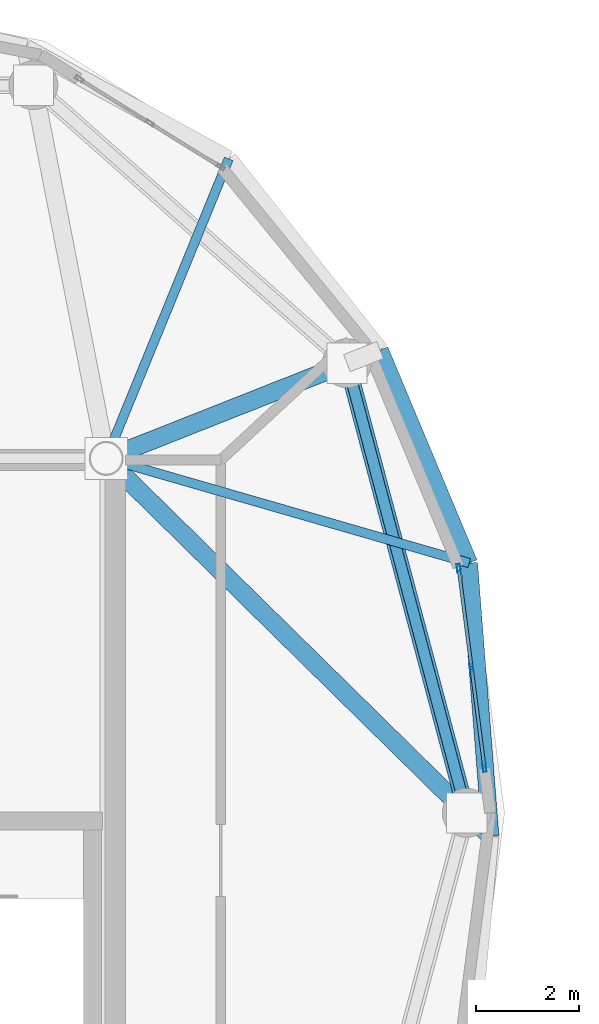
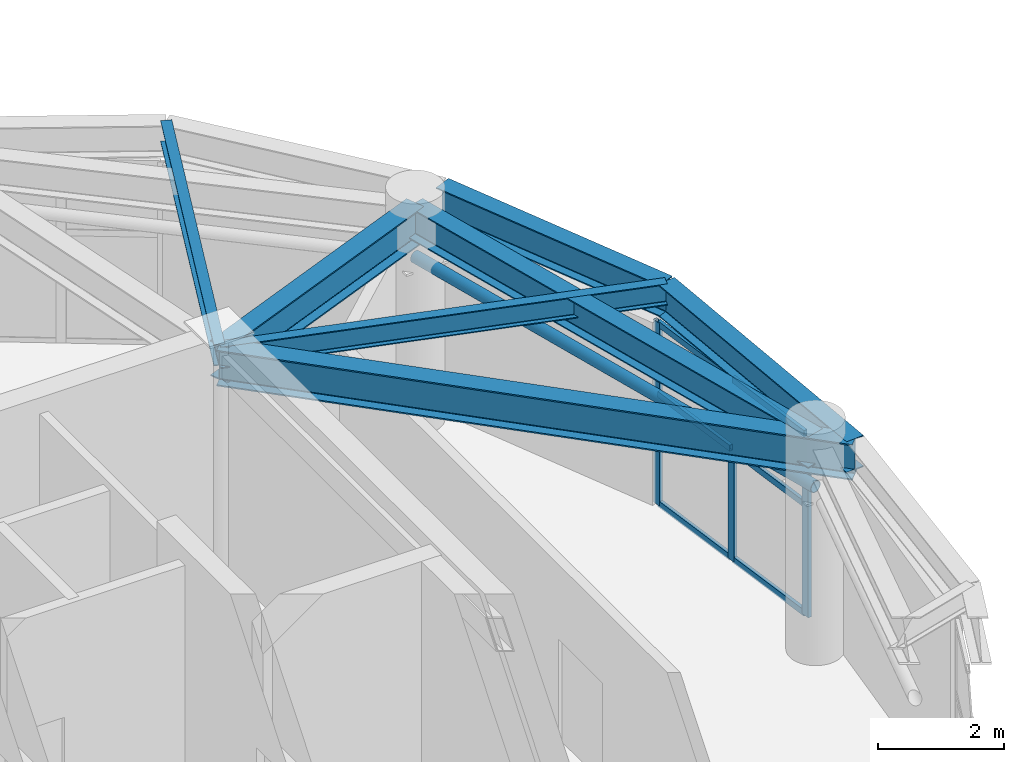
# One storey, part 10 of 26: 10 members, 7 beams, 1 element without a shape of its own.
"""IFC4 building model written with IfcOpenShell, lengths in metres."""

from ifc_helpers import new_model, si_unit, direction, frame, origin, origin_2d, place, context, subcontext, project, spatial, hollow_rectangle, hollow_circle, i_section, extrude, material, layer, layer_set, material_profile, profile_set, type_object, element, aggregate, save


model = new_model("IFC4")

# Units and contexts
model_context = context("Model", 3, precision=1e-05, world=origin(), true_north=direction((0.0, 1.0)))
body_context = subcontext(model_context, "Body", "Model", "MODEL_VIEW")
ifc_project = project(units=[si_unit("LENGTHUNIT", "METRE"), si_unit("AREAUNIT", "SQUARE_METRE"), si_unit("VOLUMEUNIT", "CUBIC_METRE"), si_unit("PLANEANGLEUNIT", "RADIAN"), si_unit("MASSUNIT", "GRAM", prefix="KILO")], contexts=[model_context])

# Site, building, storey
site_placement = place(None, origin())
site = spatial("IfcSite", under=ifc_project, at=site_placement, CompositionType="ELEMENT")
building_placement = place(site_placement, origin())
building = spatial("IfcBuilding", under=site, at=building_placement, Name="Cununo Teusaquillo Station Towers", CompositionType="ELEMENT")
storey_placement = place(building_placement, frame((0.0, 0.0, 240.330078125)))
storey = spatial("IfcBuildingStorey", under=building, at=storey_placement, Name="L76", CompositionType="ELEMENT", Elevation=240.330078125)

# Beams
ifc_material_1 = material(Name="Steel ASTM A572 Grade 50", Category="steel")
ifc_material_profile_1 = material_profile(ifc_material_1, i_section(OverallWidth=0.180908203125, OverallDepth=0.4169921875, WebThickness=0.010986328125, FlangeThickness=0.018310546875, FilletRadius=0.012939453125, at=origin_2d()), Name="W16X57")
ifc_profile_set_1 = profile_set([ifc_material_profile_1], Name="Steel ASTM A572 Grade 50")
beam_type_1 = type_object("IfcBeamType", Name="BM-JOIST-1", PredefinedType="JOIST", material=ifc_profile_set_1)
beam_1_placement = place(storey_placement, frame((21.675048828125, 31.3798828125, 3.991455078125), z_axis=(0.960861603375, -0.277028841748, 0.0), x_axis=(0.277028841748, 0.960861603375, 0.0)))
element("IfcBeam", 1, at=beam_1_placement, inside=storey, type_object=beam_type_1, Name="L76 Tower A Radial Spandrel Joist V01", PredefinedType="JOIST", context=body_context, shape_type="SweptSolid", body=[
    extrude(i_section(OverallWidth=0.180908203125, OverallDepth=0.4169921875, WebThickness=0.010986328125, FlangeThickness=0.018310546875, FilletRadius=0.012939453125, at=origin_2d()), origin(), (0.0, 0.0, 1.0), 7.333251953125),
])
beam_2_placement = place(storey_placement, frame((21.675048828125, 31.3798828125, 3.991455078125), z_axis=(0.378576847217, 0.925569862707, 0.0), x_axis=(-0.925569862707, 0.378576847217, 0.0)))
element("IfcBeam", 2, at=beam_2_placement, inside=storey, type_object=beam_type_1, Name="L76 Tower A Radial Spandrel Joist V03", PredefinedType="JOIST", context=body_context, shape_type="SweptSolid", body=[
    extrude(i_section(OverallWidth=0.180908203125, OverallDepth=0.4169921875, WebThickness=0.010986328125, FlangeThickness=0.018310546875, FilletRadius=0.012939453125, at=origin_2d()), origin(), (0.0, 0.0, 1.0), 6.28125),
])
ifc_material_2 = material(Name="Steel ASTM A572 Grade 50", Category="steel")
ifc_material_profile_2 = material_profile(ifc_material_2, i_section(OverallWidth=0.35498046875, OverallDepth=0.696044921875, WebThickness=0.015380859375, FlangeThickness=0.02490234375, FilletRadius=0.01806640625, at=origin_2d()), Name="W27X146")
ifc_profile_set_2 = profile_set([ifc_material_profile_2], Name="Steel ASTM A572 Grade 50")
beam_type_2 = type_object("IfcBeamType", Name="BM-PLNT-G1", PredefinedType="BEAM", material=ifc_profile_set_2)
beam_3_placement = place(storey_placement, frame((21.675048828125, 31.3798828125, 3.851806640625), z_axis=(0.713043510712, -0.701119784225, 0.0), x_axis=(0.701119784225, 0.713043510712, 0.0)))
element("IfcBeam", 3, at=beam_3_placement, inside=storey, type_object=beam_type_2, Name="L76 Tower A Continuous Overhanging Radial Girder 01", PredefinedType="BEAM", context=body_context, shape_type="SweptSolid", body=[
    extrude(i_section(OverallWidth=0.35498046875, OverallDepth=0.696044921875, WebThickness=0.015380859375, FlangeThickness=0.02490234375, FilletRadius=0.01806640625, at=origin_2d()), origin(), (0.0, 0.0, 1.0), 10.462890625),
])
beam_4_placement = place(storey_placement, frame((21.675048828125, 31.3798828125, 3.851806640625), z_axis=(0.929864104313, 0.367903176814, 0.0), x_axis=(-0.367903176814, 0.929864104313, 0.0)))
element("IfcBeam", 4, at=beam_4_placement, inside=storey, type_object=beam_type_2, Name="L76 Tower A Radial Girder 02A", PredefinedType="BEAM", context=body_context, shape_type="SweptSolid", body=[
    extrude(i_section(OverallWidth=0.35498046875, OverallDepth=0.696044921875, WebThickness=0.015380859375, FlangeThickness=0.02490234375, FilletRadius=0.01806640625, at=origin_2d()), origin(), (0.0, 0.0, 1.0), 5.02490234375),
])
ifc_material_3 = material(Name="Steel ASTM A572 Grade 50", Category="steel")
ifc_material_profile_3 = material_profile(ifc_material_3, i_section(OverallWidth=0.324951171875, OverallDepth=0.615966796875, WebThickness=0.013916015625, FlangeThickness=0.021484375, FilletRadius=0.01611328125, at=origin_2d()), Name="W24X117")
ifc_profile_set_3 = profile_set([ifc_material_profile_3], Name="Steel ASTM A572 Grade 50")
beam_type_3 = type_object("IfcBeamType", Name="BM-PLNT-G2", PredefinedType="BEAM", material=ifc_profile_set_3)
beam_5_placement = place(storey_placement, frame((28.672119140625, 24.5, 3.891845703125), z_axis=(-0.257363196347, 0.966314744359, 0.0), x_axis=(-0.966314744359, -0.257363196347, 0.0)))
element("IfcBeam", 5, at=beam_5_placement, inside=storey, type_object=beam_type_3, Name="L76 Tower A Structural Column Ring Girder 01", PredefinedType="BEAM", context=body_context, shape_type="SweptSolid", body=[
    extrude(i_section(OverallWidth=0.324951171875, OverallDepth=0.615966796875, WebThickness=0.013916015625, FlangeThickness=0.021484375, FilletRadius=0.01611328125, at=origin_2d()), origin(), (0.0, 0.0, 1.0), 9.03271484375),
])
beam_6_placement = place(storey_placement, frame((29.135498046875, 24.044189453125, 3.891845703125), z_axis=(-0.077871988965, 0.996963366095, 0.0), x_axis=(-0.996963366095, -0.077871988965, 0.0)))
element("IfcBeam", 6, at=beam_6_placement, inside=storey, type_object=beam_type_3, Name="L76 Tower A Spandrel Ring Beam 01", PredefinedType="BEAM", context=body_context, shape_type="SweptSolid", body=[
    extrude(i_section(OverallWidth=0.324951171875, OverallDepth=0.615966796875, WebThickness=0.013916015625, FlangeThickness=0.021484375, FilletRadius=0.01611328125, at=origin_2d()), origin(), (0.0, 0.0, 1.0), 5.3203125),
])
beam_7_placement = place(storey_placement, frame((28.72119140625, 29.348388671875, 3.891845703125), z_axis=(-0.386115454066, 0.922450462698, 0.0), x_axis=(-0.922450462698, -0.386115454066, 0.0)))
element("IfcBeam", 7, at=beam_7_placement, inside=storey, type_object=beam_type_3, Name="L76 Tower A Spandrel Ring Beam 02", PredefinedType="BEAM", context=body_context, shape_type="SweptSolid", body=[
    extrude(i_section(OverallWidth=0.324951171875, OverallDepth=0.615966796875, WebThickness=0.013916015625, FlangeThickness=0.021484375, FilletRadius=0.01611328125, at=origin_2d()), origin(), (0.0, 0.0, 1.0), 4.482421875),
])

# Curtain wall, members
ifc_material_4 = material(Name="Ceramic-fritted dark low-E double glazing", Category="glass")
ifc_layer = layer(ifc_material_4, 0.179931640625)
ifc_layer_set = layer_set([ifc_layer], Name="Ceramic-fritted dark low-E double glazing")
curtain_wall_type = type_object("IfcCurtainWallType", Name="CW-SYS-08", PredefinedType="USERDEFINED", material=ifc_layer_set)
curtain_wall_placement = place(storey_placement, origin())
curtain_wall = element("IfcCurtainWall", 8, at=curtain_wall_placement, inside=storey, type_object=curtain_wall_type, Name="L76 Tower A Crown Drum Glazed Screen C00", ObjectType="FRITTED GLAZING", PredefinedType="USERDEFINED")
ifc_material_5 = material(Name="Anodised dark bronze aluminium EN AW-6063-T6", Category="aluminium")
ifc_material_profile_4 = material_profile(ifc_material_5, hollow_rectangle(XDim=0.06494140625, YDim=0.159912109375, WallThickness=0.00390625, at=origin_2d()), Name="CW-MULL-65x160")
ifc_profile_set_4 = profile_set([ifc_material_profile_4], Name="Anodised dark bronze aluminium EN AW-6063-T6")
member_type_1 = type_object("IfcMemberType", Name="CWM-160", PredefinedType="MULLION", material=ifc_profile_set_4)
member_1_placement = place(storey_placement, frame((28.515869140625, 29.248291015625, 0.0), z_axis=(0.0, 0.0, 1.0), x_axis=(0.991741528461, 0.12825264413, 0.0)))
member_1 = element("IfcMember", 9, at=member_1_placement, type_object=member_type_1, Name="CW-08 mullion 1", PredefinedType="MULLION", context=body_context, shape_type="SweptSolid", body=[
    extrude(hollow_rectangle(XDim=0.06494140625, YDim=0.159912109375, WallThickness=0.00390625, at=origin_2d()), origin(), (0.0, 0.0, 1.0), 3.555908203125),
])
member_2_placement = place(storey_placement, frame((28.766357421875, 27.311767578125, 0.0), z_axis=(0.0, 0.0, 1.0), x_axis=(0.991741528461, 0.12825264413, 0.0)))
member_2 = element("IfcMember", 10, at=member_2_placement, type_object=member_type_1, Name="CW-08 mullion 2", PredefinedType="MULLION", context=body_context, shape_type="SweptSolid", body=[
    extrude(hollow_rectangle(XDim=0.06494140625, YDim=0.159912109375, WallThickness=0.00390625, at=origin_2d()), origin(), (0.0, 0.0, 1.0), 3.555908203125),
])
member_3_placement = place(storey_placement, frame((29.016845703125, 25.375244140625, 0.0), z_axis=(0.0, 0.0, 1.0), x_axis=(0.991741528461, 0.12825264413, 0.0)))
member_3 = element("IfcMember", 11, at=member_3_placement, type_object=member_type_1, Name="CW-08 mullion 3", PredefinedType="MULLION", context=body_context, shape_type="SweptSolid", body=[
    extrude(hollow_rectangle(XDim=0.06494140625, YDim=0.159912109375, WallThickness=0.00390625, at=origin_2d()), origin(), (0.0, 0.0, 1.0), 3.555908203125),
])
ifc_material_6 = material(Name="Anodised dark bronze aluminium EN AW-6063-T6", Category="aluminium")
ifc_material_profile_5 = material_profile(ifc_material_6, hollow_rectangle(XDim=0.06494140625, YDim=0.1201171875, WallThickness=0.00390625, at=origin_2d()), Name="CW-TRAN-65x120")
ifc_profile_set_5 = profile_set([ifc_material_profile_5], Name="Anodised dark bronze aluminium EN AW-6063-T6")
member_type_2 = type_object("IfcMemberType", Name="CWT-120", PredefinedType="USERDEFINED", material=ifc_profile_set_5)
member_4_placement = place(storey_placement, frame((28.52001953125, 29.216064453125, 0.032470703125), z_axis=(0.128299630595, -0.99173545101, 0.0), x_axis=(0.99173545101, 0.128299630595, 0.0)))
member_4 = element("IfcMember", 12, at=member_4_placement, type_object=member_type_2, Name="CW-08 transom 1.1", ObjectType="TRANSOM", PredefinedType="USERDEFINED", context=body_context, shape_type="SweptSolid", body=[
    extrude(hollow_rectangle(XDim=0.06494140625, YDim=0.1201171875, WallThickness=0.00390625, at=origin_2d()), origin(), (0.0, 0.0, 1.0), 1.8876953125),
])
member_5_placement = place(storey_placement, frame((28.52001953125, 29.216064453125, 2.14990234375), z_axis=(0.128299630595, -0.99173545101, 0.0), x_axis=(0.99173545101, 0.128299630595, 0.0)))
member_5 = element("IfcMember", 13, at=member_5_placement, type_object=member_type_2, Name="CW-08 transom 1.2", ObjectType="TRANSOM", PredefinedType="USERDEFINED", context=body_context, shape_type="SweptSolid", body=[
    extrude(hollow_rectangle(XDim=0.06494140625, YDim=0.1201171875, WallThickness=0.00390625, at=origin_2d()), origin(), (0.0, 0.0, 1.0), 1.8876953125),
])
member_6_placement = place(storey_placement, frame((28.52001953125, 29.216064453125, 3.5234375), z_axis=(0.128299630595, -0.99173545101, 0.0), x_axis=(0.99173545101, 0.128299630595, 0.0)))
member_6 = element("IfcMember", 14, at=member_6_placement, type_object=member_type_2, Name="CW-08 transom 1.3", ObjectType="TRANSOM", PredefinedType="USERDEFINED", context=body_context, shape_type="SweptSolid", body=[
    extrude(hollow_rectangle(XDim=0.06494140625, YDim=0.1201171875, WallThickness=0.00390625, at=origin_2d()), origin(), (0.0, 0.0, 1.0), 1.8876953125),
])
member_7_placement = place(storey_placement, frame((28.7705078125, 27.279541015625, 0.032470703125), z_axis=(0.128299630595, -0.99173545101, 0.0), x_axis=(0.99173545101, 0.128299630595, 0.0)))
member_7 = element("IfcMember", 15, at=member_7_placement, type_object=member_type_2, Name="CW-08 transom 2.1", ObjectType="TRANSOM", PredefinedType="USERDEFINED", context=body_context, shape_type="SweptSolid", body=[
    extrude(hollow_rectangle(XDim=0.06494140625, YDim=0.1201171875, WallThickness=0.00390625, at=origin_2d()), origin(), (0.0, 0.0, 1.0), 1.8876953125),
])
member_8_placement = place(storey_placement, frame((28.7705078125, 27.279541015625, 2.14990234375), z_axis=(0.128299630595, -0.99173545101, 0.0), x_axis=(0.99173545101, 0.128299630595, 0.0)))
member_8 = element("IfcMember", 16, at=member_8_placement, type_object=member_type_2, Name="CW-08 transom 2.2", ObjectType="TRANSOM", PredefinedType="USERDEFINED", context=body_context, shape_type="SweptSolid", body=[
    extrude(hollow_rectangle(XDim=0.06494140625, YDim=0.1201171875, WallThickness=0.00390625, at=origin_2d()), origin(), (0.0, 0.0, 1.0), 1.8876953125),
])
member_9_placement = place(storey_placement, frame((28.7705078125, 27.279541015625, 3.5234375), z_axis=(0.128299630595, -0.99173545101, 0.0), x_axis=(0.99173545101, 0.128299630595, 0.0)))
member_9 = element("IfcMember", 17, at=member_9_placement, type_object=member_type_2, Name="CW-08 transom 2.3", ObjectType="TRANSOM", PredefinedType="USERDEFINED", context=body_context, shape_type="SweptSolid", body=[
    extrude(hollow_rectangle(XDim=0.06494140625, YDim=0.1201171875, WallThickness=0.00390625, at=origin_2d()), origin(), (0.0, 0.0, 1.0), 1.8876953125),
])
aggregate(curtain_wall, [member_1, member_2, member_3, member_4, member_5, member_6, member_7, member_8, member_9])

# Member
ifc_material_7 = material(Name="Steel EN 10025-2 S355J2", Category="steel")
ifc_material_profile_6 = material_profile(ifc_material_7, hollow_circle(Radius=0.109619140625, WallThickness=0.010009765625, at=origin_2d()), Name="CHS 219x10")
ifc_profile_set_6 = profile_set([ifc_material_profile_6], Name="Steel EN 10025-2 S355J2")
member_type_3 = type_object("IfcMemberType", Name="MBR-DRUM-COL", PredefinedType="COLLAR", material=ifc_profile_set_6)
member_10_placement = place(storey_placement, frame((28.672119140625, 24.5, 3.14990234375), z_axis=(-0.257363196347, 0.966314744359, 0.0), x_axis=(-0.966314744359, -0.257363196347, 0.0)))
element("IfcMember", 18, at=member_10_placement, inside=storey, type_object=member_type_3, Name="L76 Tower A Crown Drum Collar 01", PredefinedType="COLLAR", context=body_context, shape_type="SweptSolid", body=[
    extrude(hollow_circle(Radius=0.109619140625, WallThickness=0.010009765625, at=origin_2d()), origin(), (0.0, 0.0, 1.0), 9.03271484375),
])

save(model, "model.ifc")
